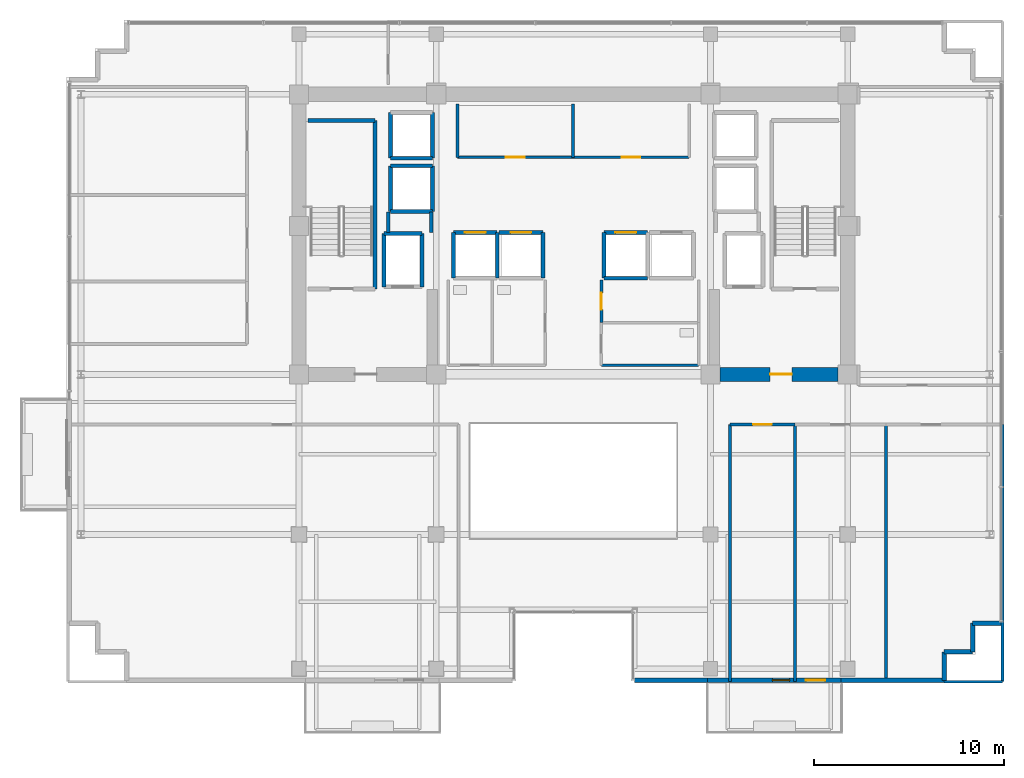
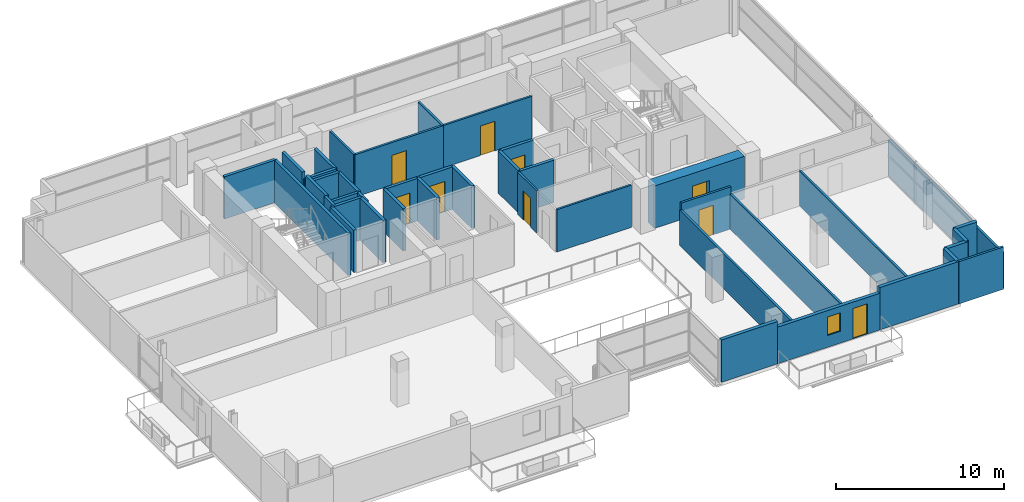
# One storey, part 15 of 21: 42 walls, 9 doors, 1 window, 10 openings.
"""IFC4 building model written with IfcOpenShell, lengths in metres."""

from ifc_helpers import new_model, si_unit, direction, frame, frame_2d, origin, place, context, subcontext, project, spatial, rectangle, extrude, source, transform, mapped, material, layer, layer_set, type_object, element, fill, save


model = new_model("IFC4")

# Units and contexts
model_context = context("Model", 3, precision=1e-05, world=origin(), true_north=direction((0.0, 1.0)))
body_context = subcontext(model_context, "Body", "Model", "MODEL_VIEW")
ifc_project = project(units=[si_unit("LENGTHUNIT", "METRE"), si_unit("AREAUNIT", "SQUARE_METRE"), si_unit("VOLUMEUNIT", "CUBIC_METRE"), si_unit("PLANEANGLEUNIT", "RADIAN"), si_unit("MASSUNIT", "GRAM", prefix="KILO")], contexts=[model_context])

# Site, building, storey
site_placement = place(None, origin())
site = spatial("IfcSite", under=ifc_project, at=site_placement, CompositionType="ELEMENT")
building_placement = place(site_placement, origin())
building = spatial("IfcBuilding", under=site, at=building_placement, Name="Zarnakvel Exchange Tower", CompositionType="ELEMENT")
storey_placement = place(building_placement, frame((0.0, 0.0, 152.800048828125)))
storey = spatial("IfcBuildingStorey", under=building, at=storey_placement, Name="L42", CompositionType="ELEMENT", Elevation=152.800048828125)

# Wall, opening, door
ifc_material_1 = material(Name="Concrete C60/75", Category="concrete")
ifc_layer_1 = layer(ifc_material_1, 0.75)
ifc_layer_set_1 = layer_set([ifc_layer_1], Name="Concrete C60/75")
wall_type_1 = type_object("IfcWallType", Name="CW-C3", PredefinedType="SHEAR", material=ifc_layer_set_1)
wall_1_placement = place(storey_placement, frame((13.89990234375, -1.199951171875, 0.0), z_axis=(0.0, 0.0, 1.0), x_axis=(-1.0, 0.0, 0.0)))
wall_1 = element("IfcWall", 1, at=wall_1_placement, inside=storey, type_object=wall_type_1, Name="L42 Rear Core Shear Wall SE (CW-C3)", PredefinedType="SHEAR", context=body_context, shape_type="SweptSolid", body=[
    extrude(rectangle(XDim=6.199951171875, YDim=0.75, at=frame_2d((3.10009765625, 0.0))), origin(), (0.0, 0.0, 1.0), 3.074951171875),
])
opening_1_placement = place(wall_1_placement, frame((2.425048828125, 0.0, 0.0)))
opening_1 = element("IfcOpeningElement", 2, at=opening_1_placement, cuts=wall_1, Name="Opening D-L42-04", PredefinedType="OPENING", context=body_context, shape_type="SweptSolid", body=[
    extrude(rectangle(XDim=1.14990234375, YDim=2.14990234375, at=frame_2d((0.574951171875, 1.074951171875))), frame((0.0, 0.385009765625, 0.0), z_axis=(0.0, -1.0, 0.0), x_axis=(1.0, 0.0, 0.0)), (0.0, 0.0, 1.0), 0.77001953125),
])
ifc_material_2 = material(Name="Painted Galvanised Steel S355", Category="steel")
door_type_1 = type_object("IfcDoorType", Name="DT-04", OperationType="NOTDEFINED", PredefinedType="DOOR", material=ifc_material_2)
shared_shape_1 = source(origin(), body_context, "Body", "SweptSolid", [
    extrude(rectangle(XDim=1.14990234375, YDim=2.14990234375, at=frame_2d((0.574951171875, 1.074951171875))), frame((0.0, 0.02490234375, 0.0), z_axis=(0.0, -1.0, 0.0), x_axis=(1.0, 0.0, 0.0)), (0.0, 0.0, 1.0), 0.050048828125),
])
door_1_placement = place(opening_1_placement, origin())
door_1 = element("IfcDoor", 3, at=door_1_placement, inside=storey, type_object=door_type_1, Name="L42 Firefighting Lobby East Door D-L42-04", OperationType="SINGLE_SWING_RIGHT", OverallHeight=2.14990234375, OverallWidth=1.14990234375, PredefinedType="DOOR", context=body_context, shape_type="MappedRepresentation", body=[
    mapped(shared_shape_1, transform((0.0, 0.0, 0.0), x_axis=(1.0, 0.0, 0.0), y_axis=(0.0, 1.0, 0.0), z_axis=(0.0, 0.0, 1.0), scale=1.0)),
])
fill(opening_1, door_1)

# Wall, openings, door, window
ifc_material_3 = material(Name="Precast concrete C40/50", Category="concrete")
ifc_layer_2 = layer(ifc_material_3, 0.239990234375)
ifc_layer_set_2 = layer_set([ifc_layer_2], Name="Precast concrete C40/50")
wall_type_2 = type_object("IfcWallType", Name="EW-02", PredefinedType="SOLIDWALL", material=ifc_layer_set_2)
wall_2_placement = place(storey_placement, frame((14.050048828125, -17.260009765625, 0.0), z_axis=(0.0, 0.0, 1.0), x_axis=(-1.0, 0.0, 0.0)))
wall_2 = element("IfcWall", 4, at=wall_2_placement, inside=storey, type_object=wall_type_2, Name="L42 Exterior Precast Spandrel Wall EW-BAL-L42-SE (EW-02)", PredefinedType="SOLIDWALL", context=body_context, shape_type="SweptSolid", body=[
    extrude(rectangle(XDim=7.0, YDim=0.239990234375, at=frame_2d((3.5, 0.0))), origin(), (0.0, 0.0, 1.0), 2.6650390625),
])
opening_2_placement = place(wall_2_placement, frame((0.840087890625, 0.0, 0.0)))
opening_2 = element("IfcOpeningElement", 5, at=opening_2_placement, cuts=wall_2, Name="Opening BD-L42-02", PredefinedType="OPENING", context=body_context, shape_type="SweptSolid", body=[
    extrude(rectangle(XDim=1.0, YDim=2.199951171875, at=frame_2d((0.5, 1.10009765625))), frame((0.0, 0.1298828125, 0.0), z_axis=(0.0, -1.0, 0.0), x_axis=(1.0, 0.0, 0.0)), (0.0, 0.0, 1.0), 0.260009765625),
])
opening_3_placement = place(wall_2_placement, frame((2.699951171875, 0.0, 0.85009765625)))
opening_3 = element("IfcOpeningElement", 6, at=opening_3_placement, cuts=wall_2, Name="Opening WN-06", PredefinedType="OPENING", context=body_context, shape_type="SweptSolid", body=[
    extrude(rectangle(XDim=0.89990234375, YDim=1.35009765625, at=frame_2d((0.449951171875, 0.675048828125))), frame((0.0, 0.1298828125, 0.0), z_axis=(0.0, -1.0, 0.0), x_axis=(1.0, 0.0, 0.0)), (0.0, 0.0, 1.0), 0.260009765625),
])
ifc_material_4 = material(Name="Architectural Bronze Anodised Aluminium", Category="aluminium")
door_type_2 = type_object("IfcDoorType", Name="DT-09", OperationType="NOTDEFINED", PredefinedType="DOOR", material=ifc_material_4)
shared_shape_2 = source(origin(), body_context, "Body", "SweptSolid", [
    extrude(rectangle(XDim=1.0, YDim=2.199951171875, at=frame_2d((0.5, 1.10009765625))), frame((0.0, 0.02490234375, 0.0), z_axis=(0.0, -1.0, 0.0), x_axis=(1.0, 0.0, 0.0)), (0.0, 0.0, 1.0), 0.050048828125),
])
door_2_placement = place(opening_2_placement, origin())
door_2 = element("IfcDoor", 7, at=door_2_placement, inside=storey, type_object=door_type_2, Name="L42 Planted Loggia Balcony Door BD-L42-02", OperationType="SINGLE_SWING_LEFT", OverallHeight=2.199951171875, OverallWidth=1.0, PredefinedType="DOOR", context=body_context, shape_type="MappedRepresentation", body=[
    mapped(shared_shape_2, transform((0.0, 0.0, 0.0), x_axis=(1.0, 0.0, 0.0), y_axis=(0.0, 1.0, 0.0), z_axis=(0.0, 0.0, 1.0), scale=1.0)),
])
fill(opening_2, door_2)
ifc_material_5 = material(Name="Double Low-E Laminated Vision Glass", Category="glass")
window_type = type_object("IfcWindowType", Name="WN-06", PartitioningType="SINGLE_PANEL", PredefinedType="WINDOW", material=ifc_material_5)
shared_shape_3 = source(origin(), body_context, "Body", "SweptSolid", [
    extrude(rectangle(XDim=0.89990234375, YDim=1.35009765625, at=frame_2d((0.449951171875, 0.675048828125))), frame((0.0, 0.030029296875, 0.0), z_axis=(0.0, -1.0, 0.0), x_axis=(1.0, 0.0, 0.0)), (0.0, 0.0, 1.0), 0.06005859375),
])
window_placement = place(opening_3_placement, origin())
window = element("IfcWindow", 8, at=window_placement, inside=storey, type_object=window_type, Name="L42 Loggia Daylight Window (WN-06)", OverallHeight=1.35009765625, OverallWidth=0.89990234375, PartitioningType="SINGLE_PANEL", PredefinedType="WINDOW", context=body_context, shape_type="MappedRepresentation", body=[
    mapped(shared_shape_3, transform((0.0, 0.0, 0.0), x_axis=(1.0, 0.0, 0.0), y_axis=(0.0, 1.0, 0.0), z_axis=(0.0, 0.0, 1.0), scale=1.0)),
])
fill(opening_3, window)

# Walls
for number, where, z_axis, x_axis, name in (
    (9, (20.9599609375, -14.260009765625, 0.0), (0.0, 0.0, 1.0), (1.0, 0.0, 0.0), "L42 Exterior Precast Spandrel Wall EWC-L42-11 (EW-02)"),
    (10, (20.9599609375, -15.760009765625, 0.0), (0.0, 0.0, 1.0), (0.0, 1.0, 0.0), "L42 Exterior Precast Spandrel Wall EWC-L42-12 (EW-02)"),
    (11, (19.4599609375, -15.760009765625, 0.0), (0.0, 0.0, 1.0), (1.0, 0.0, 0.0), "L42 Exterior Precast Spandrel Wall EWC-L42-13 (EW-02)"),
    (12, (19.4599609375, -17.260009765625, 0.0), (0.0, 0.0, 1.0), (0.0, 1.0, 0.0), "L42 Exterior Precast Spandrel Wall EWC-L42-14 (EW-02)"),
):
    element("IfcWall", number, at=place(storey_placement, frame(where, z_axis=z_axis, x_axis=x_axis)), inside=storey, type_object=wall_type_2, Name=name, PredefinedType="SOLIDWALL", context=body_context, shape_type="SweptSolid", body=[
        extrude(rectangle(XDim=1.5, YDim=0.239990234375, at=frame_2d((0.75, 0.0))), origin(), (0.0, 0.0, 1.0), 3.074951171875),
    ])
wall_3_placement = place(storey_placement, frame((14.050048828125, -17.260009765625, 0.0), z_axis=(0.0, 0.0, 1.0), x_axis=(1.0, 0.0, 0.0)))
element("IfcWall", 13, at=wall_3_placement, inside=storey, type_object=wall_type_2, Name="L42 Exterior Precast Spandrel Wall EWC-L42-15 (EW-02)", PredefinedType="SOLIDWALL", context=body_context, shape_type="SweptSolid", body=[
    extrude(rectangle(XDim=5.409912109375, YDim=0.239990234375, at=frame_2d((2.705078125, 0.0))), origin(), (0.0, 0.0, 1.0), 3.074951171875),
])
wall_4_placement = place(storey_placement, frame((3.199951171875, -17.260009765625, 0.0), z_axis=(0.0, 0.0, 1.0), x_axis=(1.0, 0.0, 0.0)))
element("IfcWall", 14, at=wall_4_placement, inside=storey, type_object=wall_type_2, Name="L42 Exterior Precast Spandrel Wall EWC-L42-16 (EW-02)", PredefinedType="SOLIDWALL", context=body_context, shape_type="SweptSolid", body=[
    extrude(rectangle(XDim=3.85009765625, YDim=0.239990234375, at=frame_2d((1.925048828125, 0.0))), origin(), (0.0, 0.0, 1.0), 3.074951171875),
])

# Wall, opening, door
ifc_material_6 = material(Name="Fire-Rated Gypsum Stud Partition", Category="gypsum")
ifc_layer_3 = layer(ifc_material_6, 0.14990234375)
ifc_layer_set_3 = layer_set([ifc_layer_3], Name="Fire-Rated Gypsum Stud Partition")
wall_type_3 = type_object("IfcWallType", Name="PT-01", PredefinedType="PARTITIONING", material=ifc_layer_set_3)
wall_5_placement = place(storey_placement, frame((-0.02001953125, 10.199951171875, 0.0), z_axis=(0.0, 0.0, 1.0), x_axis=(-1.0, 0.0, 0.0)))
wall_5 = element("IfcWall", 15, at=wall_5_placement, inside=storey, type_object=wall_type_3, Name="L42 Partition Wall PWALL-L42-011 (PT-01)", PredefinedType="PARTITIONING", context=body_context, shape_type="SweptSolid", body=[
    extrude(rectangle(XDim=6.06005859375, YDim=0.14990234375, at=frame_2d((3.030029296875, 0.0))), origin(), (0.0, 0.0, 1.0), 3.074951171875),
])
opening_4_placement = place(wall_5_placement, frame((2.5400390625, 0.0, 0.0)))
opening_4 = element("IfcOpeningElement", 16, at=opening_4_placement, cuts=wall_5, Name="Opening D-L42-05", PredefinedType="OPENING", context=body_context, shape_type="SweptSolid", body=[
    extrude(rectangle(XDim=0.97998046875, YDim=2.14990234375, at=frame_2d((0.489990234375, 1.074951171875))), frame((0.0, 0.0849609375, 0.0), z_axis=(0.0, -1.0, 0.0), x_axis=(1.0, 0.0, 0.0)), (0.0, 0.0, 1.0), 0.169921875),
])
ifc_material_7 = material(Name="Timber Acoustic Veneer", Category="wood")
door_type_3 = type_object("IfcDoorType", Name="DT-05", OperationType="NOTDEFINED", PredefinedType="DOOR", material=ifc_material_7)
shared_shape_4 = source(origin(), body_context, "Body", "SweptSolid", [
    extrude(rectangle(XDim=0.97998046875, YDim=2.14990234375, at=frame_2d((0.489990234375, 1.074951171875))), frame((0.0, 0.02490234375, 0.0), z_axis=(0.0, -1.0, 0.0), x_axis=(1.0, 0.0, 0.0)), (0.0, 0.0, 1.0), 0.050048828125),
])
door_3_placement = place(opening_4_placement, origin())
door_3 = element("IfcDoor", 17, at=door_3_placement, inside=storey, type_object=door_type_3, Name="L42 Settlement Records Suite Door D-L42-05", OperationType="SINGLE_SWING_LEFT", OverallHeight=2.14990234375, OverallWidth=0.97998046875, PredefinedType="DOOR", context=body_context, shape_type="MappedRepresentation", body=[
    mapped(shared_shape_4, transform((0.0, 0.0, 0.0), x_axis=(1.0, 0.0, 0.0), y_axis=(0.0, 1.0, 0.0), z_axis=(0.0, 0.0, 1.0), scale=1.0)),
])
fill(opening_4, door_3)

# Walls
for number, where, z_axis, x_axis, name in (
    (18, (-6.080078125, 10.199951171875, 0.0), (0.0, 0.0, 1.0), (0.0, 1.0, 0.0), "L42 Partition Wall PWALL-L42-012 (PT-01)"),
    (19, (-0.02001953125, 13.0, 0.0), (0.0, 0.0, 1.0), (0.0, -1.0, 0.0), "L42 Partition Wall PWALL-L42-013 (PT-01)"),
):
    element("IfcWall", number, at=place(storey_placement, frame(where, z_axis=z_axis, x_axis=x_axis)), inside=storey, type_object=wall_type_3, Name=name, PredefinedType="PARTITIONING", context=body_context, shape_type="SweptSolid", body=[
        extrude(rectangle(XDim=2.800048828125, YDim=0.14990234375, at=frame_2d((1.39990234375, 0.0))), origin(), (0.0, 0.0, 1.0), 3.074951171875),
    ])

# Wall, opening, door
wall_6_placement = place(storey_placement, frame((1.469970703125, 1.52001953125, 0.0), z_axis=(0.0, 0.0, 1.0), x_axis=(0.0, 1.0, 0.0)))
wall_6 = element("IfcWall", 20, at=wall_6_placement, inside=storey, type_object=wall_type_3, Name="L42 Partition Wall PWALL-L42-025 (PT-01)", PredefinedType="PARTITIONING", context=body_context, shape_type="SweptSolid", body=[
    extrude(rectangle(XDim=2.239990234375, YDim=0.14990234375, at=frame_2d((1.1201171875, 0.0))), origin(), (0.0, 0.0, 1.0), 3.074951171875),
])
opening_5_placement = place(wall_6_placement, frame((0.679931640625, 0.0, 0.0)))
opening_5 = element("IfcOpeningElement", 21, at=opening_5_placement, cuts=wall_6, Name="Opening D-L42-10", PredefinedType="OPENING", context=body_context, shape_type="SweptSolid", body=[
    extrude(rectangle(XDim=0.8798828125, YDim=2.10009765625, at=frame_2d((0.43994140625, 1.050048828125))), frame((0.0, 0.0849609375, 0.0), z_axis=(0.0, -1.0, 0.0), x_axis=(1.0, 0.0, 0.0)), (0.0, 0.0, 1.0), 0.169921875),
])
door_type_4 = type_object("IfcDoorType", Name="DT-08", OperationType="NOTDEFINED", PredefinedType="DOOR", material=ifc_material_2)
shared_shape_5 = source(origin(), body_context, "Body", "SweptSolid", [
    extrude(rectangle(XDim=0.8798828125, YDim=2.10009765625, at=frame_2d((0.43994140625, 1.050048828125))), frame((0.0, 0.02490234375, 0.0), z_axis=(0.0, -1.0, 0.0), x_axis=(1.0, 0.0, 0.0)), (0.0, 0.0, 1.0), 0.050048828125),
])
door_4_placement = place(opening_5_placement, origin())
door_4 = element("IfcDoor", 22, at=door_4_placement, inside=storey, type_object=door_type_4, Name="L42 Cleaners Store Door D-L42-10", OperationType="SINGLE_SWING_RIGHT", OverallHeight=2.10009765625, OverallWidth=0.8798828125, PredefinedType="DOOR", context=body_context, shape_type="MappedRepresentation", body=[
    mapped(shared_shape_5, transform((0.0, 0.0, 0.0), x_axis=(1.0, 0.0, 0.0), y_axis=(0.0, 1.0, 0.0), z_axis=(0.0, 0.0, 1.0), scale=1.0)),
])
fill(opening_5, door_4)

wall_7_placement = place(storey_placement, frame((8.214599609375, -3.830078125, 0.0), z_axis=(0.0, 0.0, 1.0), x_axis=(1.0, 0.0, 0.0)))
wall_7 = element("IfcWall", 23, at=wall_7_placement, inside=storey, type_object=wall_type_3, Name="L42 Partition Wall PWALL-L42-032 (PT-01)", PredefinedType="PARTITIONING", context=body_context, shape_type="SweptSolid", body=[
    extrude(rectangle(XDim=3.415283203125, YDim=0.14990234375, at=frame_2d((1.70751953125, 0.0))), origin(), (0.0, 0.0, 1.0), 3.074951171875),
])
opening_6_placement = place(wall_7_placement, frame((1.21728515625, 0.0, 0.0)))
opening_6 = element("IfcOpeningElement", 24, at=opening_6_placement, cuts=wall_7, Name="Opening D-L42-12", PredefinedType="OPENING", context=body_context, shape_type="SweptSolid", body=[
    extrude(rectangle(XDim=0.97998046875, YDim=2.14990234375, at=frame_2d((0.489990234375, 1.074951171875))), frame((0.0, 0.0849609375, 0.0), z_axis=(0.0, -1.0, 0.0), x_axis=(1.0, 0.0, 0.0)), (0.0, 0.0, 1.0), 0.169921875),
])
door_5_placement = place(opening_6_placement, origin())
door_5 = element("IfcDoor", 25, at=door_5_placement, inside=storey, type_object=door_type_3, Name="L42 Meeting Room Door D-L42-12", OperationType="SINGLE_SWING_RIGHT", OverallHeight=2.14990234375, OverallWidth=0.97998046875, PredefinedType="DOOR", context=body_context, shape_type="MappedRepresentation", body=[
    mapped(shared_shape_4, transform((0.0, 0.0, 0.0), x_axis=(1.0, 0.0, 0.0), y_axis=(0.0, 1.0, 0.0), z_axis=(0.0, 0.0, 1.0), scale=1.0)),
])
fill(opening_6, door_5)

# Walls
for number, where, z_axis, x_axis, name in (
    (26, (8.214599609375, -17.330078125, 0.0), (0.0, 0.0, 1.0), (0.0, 1.0, 0.0), "L42 Partition Wall PWALL-L42-033 (PT-01)"),
    (27, (11.6298828125, -3.830078125, 0.0), (0.0, 0.0, 1.0), (0.0, -1.0, 0.0), "L42 Partition Wall PWALL-L42-034 (PT-01)"),
    (28, (16.40185546875, -3.830078125, 0.0), (0.0, 0.0, 1.0), (0.0, -1.0, 0.0), "L42 Partition Wall PWALL-L42-037 (PT-01)"),
):
    element("IfcWall", number, at=place(storey_placement, frame(where, z_axis=z_axis, x_axis=x_axis)), inside=storey, type_object=wall_type_3, Name=name, PredefinedType="PARTITIONING", context=body_context, shape_type="SweptSolid", body=[
        extrude(rectangle(XDim=13.5, YDim=0.14990234375, at=frame_2d((6.75, 0.0))), origin(), (0.0, 0.0, 1.0), 2.56494140625),
    ])
wall_8_placement = place(storey_placement, frame((22.530029296875, -17.330078125, 0.0), z_axis=(0.0, 0.0, 1.0), x_axis=(-1.0, 0.0, 0.0)))
element("IfcWall", 29, at=wall_8_placement, inside=storey, type_object=wall_type_3, Name="L42 Partition Wall PWALL-L42-038 (PT-01)", PredefinedType="PARTITIONING", context=body_context, shape_type="SweptSolid", body=[
    extrude(rectangle(XDim=3.070068359375, YDim=0.14990234375, at=frame_2d((1.53515625, 0.0))), origin(), (0.0, 0.0, 1.0), 3.074951171875),
])
wall_9_placement = place(storey_placement, frame((22.530029296875, -3.830078125, 0.0), z_axis=(0.0, 0.0, 1.0), x_axis=(0.0, -1.0, 0.0)))
element("IfcWall", 30, at=wall_9_placement, inside=storey, type_object=wall_type_3, Name="L42 Partition Wall PWALL-L42-040 (PT-01)", PredefinedType="PARTITIONING", context=body_context, shape_type="SweptSolid", body=[
    extrude(rectangle(XDim=13.5, YDim=0.14990234375, at=frame_2d((6.75, 0.0))), origin(), (0.0, 0.0, 1.0), 2.6650390625),
])
ifc_layer_4 = layer(ifc_material_6, 0.179931640625)
ifc_layer_set_4 = layer_set([ifc_layer_4], Name="Fire-Rated Gypsum Stud Partition")
wall_type_4 = type_object("IfcWallType", Name="PT-02", PredefinedType="PARTITIONING", material=ifc_layer_set_4)
wall_10_placement = place(storey_placement, frame((-9.72998046875, 6.239990234375, 0.0), z_axis=(0.0, 0.0, 1.0), x_axis=(0.0, 1.0, 0.0)))
element("IfcWall", 31, at=wall_10_placement, inside=storey, type_object=wall_type_4, Name="L42 Partition Wall PWALL-L42-007 (PT-02)", PredefinedType="PARTITIONING", context=body_context, shape_type="SweptSolid", body=[
    extrude(rectangle(XDim=1.090087890625, YDim=0.179931640625, at=frame_2d((0.544921875, 0.0))), origin(), (0.0, 0.0, 1.0), 3.074951171875),
])
wall_11_placement = place(storey_placement, frame((-7.469970703125, 7.330078125, 0.0), z_axis=(0.0, 0.0, 1.0), x_axis=(0.0, -1.0, 0.0)))
element("IfcWall", 32, at=wall_11_placement, inside=storey, type_object=wall_type_4, Name="L42 Partition Wall PWALL-L42-008 (PT-02)", PredefinedType="PARTITIONING", context=body_context, shape_type="SweptSolid", body=[
    extrude(rectangle(XDim=1.090087890625, YDim=0.179931640625, at=frame_2d((0.544921875, 0.0))), origin(), (0.0, 0.0, 1.0), 2.56494140625),
])

# Wall, opening, door
ifc_material_8 = material(Name="Moisture-Resistant Tile-Faced Partition", Category="gypsum")
ifc_layer_5 = layer(ifc_material_8, 0.135009765625)
ifc_layer_set_5 = layer_set([ifc_layer_5], Name="Moisture-Resistant Tile-Faced Partition")
wall_type_5 = type_object("IfcWallType", Name="PT-03", PredefinedType="PARTITIONING", material=ifc_layer_set_5)
wall_12_placement = place(storey_placement, frame((6.080078125, 10.199951171875, 0.0), z_axis=(0.0, 0.0, 1.0), x_axis=(-1.0, 0.0, 0.0)))
wall_12 = element("IfcWall", 33, at=wall_12_placement, inside=storey, type_object=wall_type_5, Name="L42 Partition Wall PWALL-L42-014 (PT-03)", PredefinedType="PARTITIONING", context=body_context, shape_type="SweptSolid", body=[
    extrude(rectangle(XDim=6.10009765625, YDim=0.135009765625, at=frame_2d((3.050048828125, 0.0))), origin(), (0.0, 0.0, 1.0), 3.074951171875),
])
opening_7_placement = place(wall_12_placement, frame((2.56005859375, 0.0, 0.0)))
opening_7 = element("IfcOpeningElement", 34, at=opening_7_placement, cuts=wall_12, Name="Opening D-L42-06", PredefinedType="OPENING", context=body_context, shape_type="SweptSolid", body=[
    extrude(rectangle(XDim=0.97998046875, YDim=2.14990234375, at=frame_2d((0.489990234375, 1.074951171875))), frame((0.0, 0.077392578125, 0.0), z_axis=(0.0, -1.0, 0.0), x_axis=(1.0, 0.0, 0.0)), (0.0, 0.0, 1.0), 0.155029296875),
])
door_6_placement = place(opening_7_placement, origin())
door_6 = element("IfcDoor", 35, at=door_6_placement, inside=storey, type_object=door_type_3, Name="L42 Staff Refreshment Pantry Door D-L42-06", OperationType="SINGLE_SWING_RIGHT", OverallHeight=2.14990234375, OverallWidth=0.97998046875, PredefinedType="DOOR", context=body_context, shape_type="MappedRepresentation", body=[
    mapped(shared_shape_4, transform((0.0, 0.0, 0.0), x_axis=(1.0, 0.0, 0.0), y_axis=(0.0, 1.0, 0.0), z_axis=(0.0, 0.0, 1.0), scale=1.0)),
])
fill(opening_7, door_6)

# Walls
wall_13_placement = place(storey_placement, frame((6.580078125, -0.72998046875, 0.0), z_axis=(0.0, 0.0, 1.0), x_axis=(-1.0, 0.0, 0.0)))
element("IfcWall", 36, at=wall_13_placement, inside=storey, type_object=wall_type_5, Name="L42 Partition Wall PWALL-L42-021 (PT-03)", PredefinedType="PARTITIONING", context=body_context, shape_type="SweptSolid", body=[
    extrude(rectangle(XDim=5.110107421875, YDim=0.135009765625, at=frame_2d((2.55517578125, 0.0))), origin(), (0.0, 0.0, 1.0), 3.074951171875),
])
ifc_material_9 = material(Name="Concrete C40/50", Category="concrete")
ifc_layer_6 = layer(ifc_material_9, 0.199951171875)
ifc_layer_set_6 = layer_set([ifc_layer_6], Name="Concrete C40/50")
wall_type_6 = type_object("IfcWallType", Name="SW-01", PredefinedType="SOLIDWALL", material=ifc_layer_set_6)
wall_14_placement = place(storey_placement, frame((-9.949951171875, 6.199951171875, 0.0), z_axis=(0.0, 0.0, 1.0), x_axis=(1.0, 0.0, 0.0)))
element("IfcWall", 37, at=wall_14_placement, inside=storey, type_object=wall_type_6, Name="L42 FL-01 Hoistway Wall North", PredefinedType="SOLIDWALL", context=body_context, shape_type="SweptSolid", body=[
    extrude(rectangle(XDim=2.0, YDim=0.199951171875, at=frame_2d((1.0, 0.0))), origin(), (0.0, 0.0, 1.0), 3.074951171875),
])
for number, where, z_axis, x_axis, name in (
    (38, (-9.949951171875, 3.39990234375, 0.0), (0.0, 0.0, 1.0), (0.0, 1.0, 0.0), "L42 FL-01 Hoistway Wall West"),
    (39, (-7.949951171875, 6.199951171875, 0.0), (0.0, 0.0, 1.0), (0.0, -1.0, 0.0), "L42 FL-01 Hoistway Wall East"),
):
    element("IfcWall", number, at=place(storey_placement, frame(where, z_axis=z_axis, x_axis=x_axis)), inside=storey, type_object=wall_type_6, Name=name, PredefinedType="SOLIDWALL", context=body_context, shape_type="SweptSolid", body=[
        extrude(rectangle(XDim=2.800048828125, YDim=0.199951171875, at=frame_2d((1.39990234375, 0.0))), origin(), (0.0, 0.0, 1.0), 3.074951171875),
    ])

# Wall, opening, door
wall_15_placement = place(storey_placement, frame((-6.300048828125, 6.25, 0.0), z_axis=(0.0, 0.0, 1.0), x_axis=(1.0, 0.0, 0.0)))
wall_15 = element("IfcWall", 40, at=wall_15_placement, inside=storey, type_object=wall_type_6, Name="L42 PL-05 Hoistway Wall North", PredefinedType="SOLIDWALL", context=body_context, shape_type="SweptSolid", body=[
    extrude(rectangle(XDim=2.300048828125, YDim=0.199951171875, at=frame_2d((1.14990234375, 0.0))), origin(), (0.0, 0.0, 1.0), 3.074951171875),
])
opening_8_placement = place(wall_15_placement, frame((0.60009765625, 0.0, 0.0)))
opening_8 = element("IfcOpeningElement", 41, at=opening_8_placement, cuts=wall_15, Name="Opening LD-PL-05-L42", PredefinedType="OPENING", context=body_context, shape_type="SweptSolid", body=[
    extrude(rectangle(XDim=1.10009765625, YDim=2.199951171875, at=frame_2d((0.550048828125, 1.10009765625))), frame((0.0, 0.10986328125, 0.0), z_axis=(0.0, -1.0, 0.0), x_axis=(1.0, 0.0, 0.0)), (0.0, 0.0, 1.0), 0.219970703125),
])
door_type_5 = type_object("IfcDoorType", Name="LDT-02", OperationType="NOTDEFINED", PredefinedType="DOOR", material=ifc_material_4)
shared_shape_6 = source(origin(), body_context, "Body", "SweptSolid", [
    extrude(rectangle(XDim=1.10009765625, YDim=2.199951171875, at=frame_2d((0.550048828125, 1.10009765625))), frame((0.0, 0.02490234375, 0.0), z_axis=(0.0, -1.0, 0.0), x_axis=(1.0, 0.0, 0.0)), (0.0, 0.0, 1.0), 0.050048828125),
])
door_7_placement = place(opening_8_placement, origin())
door_7 = element("IfcDoor", 42, at=door_7_placement, inside=storey, type_object=door_type_5, Name="L42 PL-05 Lift Landing Door LD-PL-05-L42", OperationType="DOUBLE_DOOR_SLIDING", OverallHeight=2.199951171875, OverallWidth=1.10009765625, PredefinedType="DOOR", context=body_context, shape_type="MappedRepresentation", body=[
    mapped(shared_shape_6, transform((0.0, 0.0, 0.0), x_axis=(1.0, 0.0, 0.0), y_axis=(0.0, 1.0, 0.0), z_axis=(0.0, 0.0, 1.0), scale=1.0)),
])
fill(opening_8, door_7)

# Walls
for number, where, z_axis, x_axis, name in (
    (43, (-6.300048828125, 3.85009765625, 0.0), (0.0, 0.0, 1.0), (0.0, 1.0, 0.0), "L42 PL-05 Hoistway Wall West"),
    (44, (-4.0, 6.25, 0.0), (0.0, 0.0, 1.0), (0.0, -1.0, 0.0), "L42 PL-05 Hoistway Wall East"),
):
    element("IfcWall", number, at=place(storey_placement, frame(where, z_axis=z_axis, x_axis=x_axis)), inside=storey, type_object=wall_type_6, Name=name, PredefinedType="SOLIDWALL", context=body_context, shape_type="SweptSolid", body=[
        extrude(rectangle(XDim=2.39990234375, YDim=0.199951171875, at=frame_2d((1.199951171875, 0.0))), origin(), (0.0, 0.0, 1.0), 3.074951171875),
    ])

# Wall, opening, door
wall_16_placement = place(storey_placement, frame((-3.89990234375, 6.25, 0.0), z_axis=(0.0, 0.0, 1.0), x_axis=(1.0, 0.0, 0.0)))
wall_16 = element("IfcWall", 45, at=wall_16_placement, inside=storey, type_object=wall_type_6, Name="L42 PL-06 Hoistway Wall North", PredefinedType="SOLIDWALL", context=body_context, shape_type="SweptSolid", body=[
    extrude(rectangle(XDim=2.2998046875, YDim=0.199951171875, at=frame_2d((1.14990234375, 0.0))), origin(), (0.0, 0.0, 1.0), 3.074951171875),
])
opening_9_placement = place(wall_16_placement, frame((0.60009765625, 0.0, 0.0)))
opening_9 = element("IfcOpeningElement", 46, at=opening_9_placement, cuts=wall_16, Name="Opening LD-PL-06-L42", PredefinedType="OPENING", context=body_context, shape_type="SweptSolid", body=[
    extrude(rectangle(XDim=1.10009765625, YDim=2.199951171875, at=frame_2d((0.550048828125, 1.10009765625))), frame((0.0, 0.10986328125, 0.0), z_axis=(0.0, -1.0, 0.0), x_axis=(1.0, 0.0, 0.0)), (0.0, 0.0, 1.0), 0.219970703125),
])
door_8_placement = place(opening_9_placement, origin())
door_8 = element("IfcDoor", 47, at=door_8_placement, inside=storey, type_object=door_type_5, Name="L42 PL-06 Lift Landing Door LD-PL-06-L42", OperationType="DOUBLE_DOOR_SLIDING", OverallHeight=2.199951171875, OverallWidth=1.10009765625, PredefinedType="DOOR", context=body_context, shape_type="MappedRepresentation", body=[
    mapped(shared_shape_6, transform((0.0, 0.0, 0.0), x_axis=(1.0, 0.0, 0.0), y_axis=(0.0, 1.0, 0.0), z_axis=(0.0, 0.0, 1.0), scale=1.0)),
])
fill(opening_9, door_8)

# Walls
wall_17_placement = place(storey_placement, frame((-1.60009765625, 6.25, 0.0), z_axis=(0.0, 0.0, 1.0), x_axis=(0.0, -1.0, 0.0)))
element("IfcWall", 48, at=wall_17_placement, inside=storey, type_object=wall_type_6, Name="L42 PL-06 Hoistway Wall East", PredefinedType="SOLIDWALL", context=body_context, shape_type="SweptSolid", body=[
    extrude(rectangle(XDim=2.39990234375, YDim=0.199951171875, at=frame_2d((1.199951171875, 0.0))), origin(), (0.0, 0.0, 1.0), 3.074951171875),
])
wall_18_placement = place(storey_placement, frame((3.89990234375, 3.85009765625, 0.0), z_axis=(0.0, 0.0, 1.0), x_axis=(-1.0, 0.0, 0.0)))
element("IfcWall", 49, at=wall_18_placement, inside=storey, type_object=wall_type_6, Name="L42 PL-07 Hoistway Wall South", PredefinedType="SOLIDWALL", context=body_context, shape_type="SweptSolid", body=[
    extrude(rectangle(XDim=2.2998046875, YDim=0.199951171875, at=frame_2d((1.14990234375, 0.0))), origin(), (0.0, 0.0, 1.0), 3.074951171875),
])

# Wall, opening, door
wall_19_placement = place(storey_placement, frame((1.60009765625, 6.25, 0.0), z_axis=(0.0, 0.0, 1.0), x_axis=(1.0, 0.0, 0.0)))
wall_19 = element("IfcWall", 50, at=wall_19_placement, inside=storey, type_object=wall_type_6, Name="L42 PL-07 Hoistway Wall North", PredefinedType="SOLIDWALL", context=body_context, shape_type="SweptSolid", body=[
    extrude(rectangle(XDim=2.2998046875, YDim=0.199951171875, at=frame_2d((1.14990234375, 0.0))), origin(), (0.0, 0.0, 1.0), 3.074951171875),
])
opening_10_placement = place(wall_19_placement, frame((0.60009765625, 0.0, 0.0)))
opening_10 = element("IfcOpeningElement", 51, at=opening_10_placement, cuts=wall_19, Name="Opening LD-PL-07-L42", PredefinedType="OPENING", context=body_context, shape_type="SweptSolid", body=[
    extrude(rectangle(XDim=1.10009765625, YDim=2.199951171875, at=frame_2d((0.550048828125, 1.10009765625))), frame((0.0, 0.10986328125, 0.0), z_axis=(0.0, -1.0, 0.0), x_axis=(1.0, 0.0, 0.0)), (0.0, 0.0, 1.0), 0.219970703125),
])
door_9_placement = place(opening_10_placement, origin())
door_9 = element("IfcDoor", 52, at=door_9_placement, inside=storey, type_object=door_type_5, Name="L42 PL-07 Lift Landing Door LD-PL-07-L42", OperationType="DOUBLE_DOOR_SLIDING", OverallHeight=2.199951171875, OverallWidth=1.10009765625, PredefinedType="DOOR", context=body_context, shape_type="MappedRepresentation", body=[
    mapped(shared_shape_6, transform((0.0, 0.0, 0.0), x_axis=(1.0, 0.0, 0.0), y_axis=(0.0, 1.0, 0.0), z_axis=(0.0, 0.0, 1.0), scale=1.0)),
])
fill(opening_10, door_9)

# Walls
wall_20_placement = place(storey_placement, frame((1.60009765625, 3.85009765625, 0.0), z_axis=(0.0, 0.0, 1.0), x_axis=(0.0, 1.0, 0.0)))
element("IfcWall", 53, at=wall_20_placement, inside=storey, type_object=wall_type_6, Name="L42 PL-07 Hoistway Wall West", PredefinedType="SOLIDWALL", context=body_context, shape_type="SweptSolid", body=[
    extrude(rectangle(XDim=2.39990234375, YDim=0.199951171875, at=frame_2d((1.199951171875, 0.0))), origin(), (0.0, 0.0, 1.0), 3.074951171875),
])
for number, where, z_axis, x_axis, name in (
    (54, (-7.39990234375, 7.35009765625, 0.0), (0.0, 0.0, 1.0), (-1.0, 0.0, 0.0), "L42 PL-09 Hoistway Wall South"),
    (55, (-9.60009765625, 9.75, 0.0), (0.0, 0.0, 1.0), (1.0, 0.0, 0.0), "L42 PL-09 Hoistway Wall North"),
):
    element("IfcWall", number, at=place(storey_placement, frame(where, z_axis=z_axis, x_axis=x_axis)), inside=storey, type_object=wall_type_6, Name=name, PredefinedType="SOLIDWALL", context=body_context, shape_type="SweptSolid", body=[
        extrude(rectangle(XDim=2.2001953125, YDim=0.199951171875, at=frame_2d((1.10009765625, 0.0))), origin(), (0.0, 0.0, 1.0), 2.56494140625),
    ])
wall_21_placement = place(storey_placement, frame((-9.60009765625, 7.35009765625, 0.0), z_axis=(0.0, 0.0, 1.0), x_axis=(0.0, 1.0, 0.0)))
element("IfcWall", 56, at=wall_21_placement, inside=storey, type_object=wall_type_6, Name="L42 PL-09 Hoistway Wall West", PredefinedType="SOLIDWALL", context=body_context, shape_type="SweptSolid", body=[
    extrude(rectangle(XDim=2.39990234375, YDim=0.199951171875, at=frame_2d((1.199951171875, 0.0))), origin(), (0.0, 0.0, 1.0), 3.074951171875),
])
wall_22_placement = place(storey_placement, frame((-7.39990234375, 9.75, 0.0), z_axis=(0.0, 0.0, 1.0), x_axis=(0.0, -1.0, 0.0)))
element("IfcWall", 57, at=wall_22_placement, inside=storey, type_object=wall_type_6, Name="L42 PL-09 Hoistway Wall East", PredefinedType="SOLIDWALL", context=body_context, shape_type="SweptSolid", body=[
    extrude(rectangle(XDim=2.39990234375, YDim=0.199951171875, at=frame_2d((1.199951171875, 0.0))), origin(), (0.0, 0.0, 1.0), 2.56494140625),
])
wall_23_placement = place(storey_placement, frame((-7.39990234375, 10.14990234375, 0.0), z_axis=(0.0, 0.0, 1.0), x_axis=(-1.0, 0.0, 0.0)))
element("IfcWall", 58, at=wall_23_placement, inside=storey, type_object=wall_type_6, Name="L42 PL-10 Hoistway Wall South", PredefinedType="SOLIDWALL", context=body_context, shape_type="SweptSolid", body=[
    extrude(rectangle(XDim=2.2001953125, YDim=0.199951171875, at=frame_2d((1.10009765625, 0.0))), origin(), (0.0, 0.0, 1.0), 2.56494140625),
])
wall_24_placement = place(storey_placement, frame((-9.60009765625, 10.14990234375, 0.0), z_axis=(0.0, 0.0, 1.0), x_axis=(0.0, 1.0, 0.0)))
element("IfcWall", 59, at=wall_24_placement, inside=storey, type_object=wall_type_6, Name="L42 PL-10 Hoistway Wall West", PredefinedType="SOLIDWALL", context=body_context, shape_type="SweptSolid", body=[
    extrude(rectangle(XDim=2.400146484375, YDim=0.199951171875, at=frame_2d((1.2001953125, 0.0))), origin(), (0.0, 0.0, 1.0), 3.074951171875),
])
wall_25_placement = place(storey_placement, frame((-7.39990234375, 12.550048828125, 0.0), z_axis=(0.0, 0.0, 1.0), x_axis=(0.0, -1.0, 0.0)))
element("IfcWall", 60, at=wall_25_placement, inside=storey, type_object=wall_type_6, Name="L42 PL-10 Hoistway Wall East", PredefinedType="SOLIDWALL", context=body_context, shape_type="SweptSolid", body=[
    extrude(rectangle(XDim=2.400146484375, YDim=0.199951171875, at=frame_2d((1.2001953125, 0.0))), origin(), (0.0, 0.0, 1.0), 2.56494140625),
])
ifc_layer_7 = layer(ifc_material_9, 0.199951171875)
ifc_layer_set_7 = layer_set([ifc_layer_7], Name="Concrete C40/50")
wall_type_7 = type_object("IfcWallType", Name="SW-02", PredefinedType="SOLIDWALL", material=ifc_layer_set_7)
wall_26_placement = place(storey_placement, frame((-13.929931640625, 12.1298828125, 0.0), z_axis=(0.0, 0.0, 1.0), x_axis=(1.0, 0.0, 0.0)))
element("IfcWall", 61, at=wall_26_placement, inside=storey, type_object=wall_type_7, Name="L42 Stairwell Core Wall PWALL-L42-002 (SW-02)", PredefinedType="SOLIDWALL", context=body_context, shape_type="SweptSolid", body=[
    extrude(rectangle(XDim=3.52001953125, YDim=0.199951171875, at=frame_2d((1.760009765625, 0.0))), origin(), (0.0, 0.0, 1.0), 3.074951171875),
])
wall_27_placement = place(storey_placement, frame((-10.409912109375, 12.1298828125, 0.0), z_axis=(0.0, 0.0, 1.0), x_axis=(0.0, -1.0, 0.0)))
element("IfcWall", 62, at=wall_27_placement, inside=storey, type_object=wall_type_7, Name="L42 Stairwell Core Wall PWALL-L42-003 (SW-02)", PredefinedType="SOLIDWALL", context=body_context, shape_type="SweptSolid", body=[
    extrude(rectangle(XDim=8.83984375, YDim=0.199951171875, at=frame_2d((4.419921875, 0.0))), origin(), (0.0, 0.0, 1.0), 3.074951171875),
])

save(model, "model.ifc")
